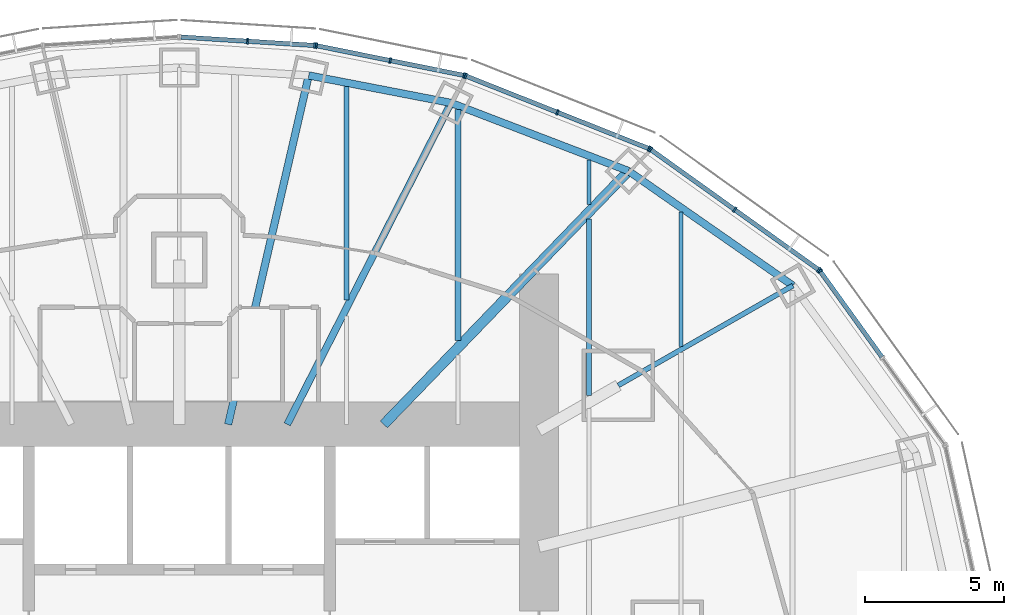
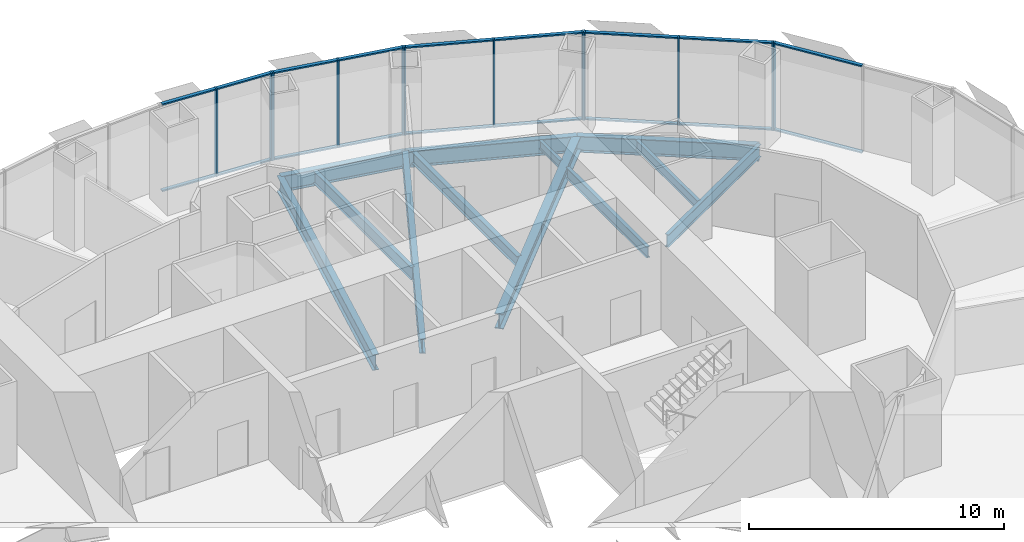
# One storey, part 8 of 18: 30 members, 12 beams, 5 elements without a shape of their own.
"""IFC4 building model written with IfcOpenShell, lengths in metres."""

from ifc_helpers import new_model, si_unit, direction, frame, origin, origin_2d, place, context, subcontext, project, spatial, rectangle, i_section, extrude, material, material_profile, profile_set, type_object, element, aggregate, save


model = new_model("IFC4")

# Units and contexts
model_context = context("Model", 3, precision=1e-05, world=origin(), true_north=direction((0.0, 1.0)))
body_context = subcontext(model_context, "Body", "Model", "MODEL_VIEW")
ifc_project = project(units=[si_unit("LENGTHUNIT", "METRE"), si_unit("AREAUNIT", "SQUARE_METRE"), si_unit("VOLUMEUNIT", "CUBIC_METRE"), si_unit("PLANEANGLEUNIT", "RADIAN"), si_unit("MASSUNIT", "GRAM", prefix="KILO")], contexts=[model_context])

# Site, building, storey
site_placement = place(None, origin())
site = spatial("IfcSite", under=ifc_project, at=site_placement, CompositionType="ELEMENT")
building_placement = place(site_placement, origin())
building = spatial("IfcBuilding", under=site, at=building_placement, Name="Lantaw Convention Tower", CompositionType="ELEMENT")
storey_placement = place(building_placement, frame((0.0, 0.0, 167.800048828125)))
storey = spatial("IfcBuildingStorey", under=building, at=storey_placement, Name="L39", CompositionType="ELEMENT", Elevation=167.800048828125)

# Beams
ifc_material_1 = material(Name="Steel ASTM A992", Category="steel")
ifc_material_profile_1 = material_profile(ifc_material_1, i_section(OverallWidth=0.2666015625, OverallDepth=0.76953125, WebThickness=0.015625, FlangeThickness=0.025390625, FilletRadius=0.0126953125, at=origin_2d()), Name="W30X132")
ifc_profile_set_1 = profile_set([ifc_material_profile_1], Name="Steel ASTM A992")
beam_type_1 = type_object("IfcBeamType", Name="Beam E W30X132", PredefinedType="SPANDREL", material=ifc_profile_set_1)
beam_1_placement = place(storey_placement, frame((22.013916015625, 12.579345703125, -0.534912109375), z_axis=(-0.820310765287, 0.57191804339, 0.0), x_axis=(-0.57191804339, -0.820310765287, 0.0)))
element("IfcBeam", 1, at=beam_1_placement, inside=storey, type_object=beam_type_1, Name="Edge beam 3", PredefinedType="SPANDREL", context=body_context, shape_type="SweptSolid", body=[
    extrude(i_section(OverallWidth=0.2666015625, OverallDepth=0.76953125, WebThickness=0.015625, FlangeThickness=0.025390625, FilletRadius=0.0126953125, at=origin_2d()), origin(), (0.0, 0.0, 1.0), 7.187744140625),
])
beam_2_placement = place(storey_placement, frame((16.11767578125, 16.690185546875, -0.534912109375), z_axis=(-0.933691081977, 0.358079549033, 0.0), x_axis=(-0.358079549033, -0.933691081977, 0.0)))
element("IfcBeam", 2, at=beam_2_placement, inside=storey, type_object=beam_type_1, Name="Edge beam 4", PredefinedType="SPANDREL", context=body_context, shape_type="SweptSolid", body=[
    extrude(i_section(OverallWidth=0.2666015625, OverallDepth=0.76953125, WebThickness=0.015625, FlangeThickness=0.025390625, FilletRadius=0.0126953125, at=origin_2d()), origin(), (0.0, 0.0, 1.0), 6.821533203125),
])
beam_3_placement = place(storey_placement, frame((9.74853515625, 19.1328125, -0.534912109375), z_axis=(-0.981796805654, 0.189934284446, 0.0), x_axis=(-0.189934284446, -0.981796805654, 0.0)))
element("IfcBeam", 3, at=beam_3_placement, inside=storey, type_object=beam_type_1, Name="Edge beam 5", PredefinedType="SPANDREL", context=body_context, shape_type="SweptSolid", body=[
    extrude(i_section(OverallWidth=0.2666015625, OverallDepth=0.76953125, WebThickness=0.015625, FlangeThickness=0.025390625, FilletRadius=0.0126953125, at=origin_2d()), origin(), (0.0, 0.0, 1.0), 5.1982421875),
])
ifc_material_profile_2 = material_profile(ifc_material_1, i_section(OverallWidth=0.177978515625, OverallDepth=0.599365234375, WebThickness=0.010009765625, FlangeThickness=0.012939453125, FilletRadius=0.012939453125, at=origin_2d()), Name="W24X55")
ifc_profile_set_2 = profile_set([ifc_material_profile_2], Name="Steel ASTM A992")
beam_type_2 = type_object("IfcBeamType", Name="Beam G W24X55", PredefinedType="BEAM", material=ifc_profile_set_2)
beam_4_placement = place(storey_placement, frame((15.75, 9.0, -0.44970703125), z_axis=(0.868245224608, 0.496135293993, 0.0), x_axis=(-0.496135293993, 0.868245224608, 0.0)))
element("IfcBeam", 4, at=beam_4_placement, inside=storey, type_object=beam_type_2, Name="Floor girder on ray 3", PredefinedType="BEAM", context=body_context, shape_type="SweptSolid", body=[
    extrude(i_section(OverallWidth=0.177978515625, OverallDepth=0.599365234375, WebThickness=0.010009765625, FlangeThickness=0.012939453125, FilletRadius=0.012939453125, at=origin_2d()), origin(), (0.0, 0.0, 1.0), 7.21435546875),
])
ifc_material_profile_3 = material_profile(ifc_material_1, i_section(OverallWidth=0.25390625, OverallDepth=0.700927734375, WebThickness=0.015380859375, FlangeThickness=0.02783203125, FilletRadius=0.01513671875, at=origin_2d()), Name="W27X129")
ifc_profile_set_3 = profile_set([ifc_material_profile_3], Name="Steel ASTM A992")
beam_type_3 = type_object("IfcBeamType", Name="Beam G W27X129", PredefinedType="BEAM", material=ifc_profile_set_3)
beam_5_placement = place(storey_placement, frame((3.872314453125, 7.60009765625, -0.50048828125), z_axis=(0.453991051051, 0.891006243281, 0.0), x_axis=(-0.891006243281, 0.453991051051, 0.0)))
element("IfcBeam", 5, at=beam_5_placement, inside=storey, type_object=beam_type_3, Name="Floor girder on ray 5", PredefinedType="BEAM", context=body_context, shape_type="SweptSolid", body=[
    extrude(i_section(OverallWidth=0.25390625, OverallDepth=0.700927734375, WebThickness=0.015380859375, FlangeThickness=0.02783203125, FilletRadius=0.01513671875, at=origin_2d()), origin(), (0.0, 0.0, 1.0), 12.943359375),
])
ifc_material_profile_4 = material_profile(ifc_material_1, i_section(OverallWidth=0.360595703125, OverallDepth=0.72900390625, WebThickness=0.023193359375, FlangeThickness=0.041015625, FilletRadius=0.0126953125, at=origin_2d()), Name="W27X235")
ifc_profile_set_4 = profile_set([ifc_material_profile_4], Name="Steel ASTM A992")
beam_type_4 = type_object("IfcBeamType", Name="Beam G W27X235", PredefinedType="BEAM", material=ifc_profile_set_4)
beam_6_placement = place(storey_placement, frame((7.33935546875, 7.60009765625, -0.5146484375), z_axis=(0.694663467407, 0.719334878239, 0.0), x_axis=(-0.719334878239, 0.694663467407, 0.0)))
element("IfcBeam", 6, at=beam_6_placement, inside=storey, type_object=beam_type_4, Name="Floor girder on ray 4", PredefinedType="BEAM", context=body_context, shape_type="SweptSolid", body=[
    extrude(i_section(OverallWidth=0.360595703125, OverallDepth=0.72900390625, WebThickness=0.023193359375, FlangeThickness=0.041015625, FilletRadius=0.0126953125, at=origin_2d()), origin(), (0.0, 0.0, 1.0), 12.63671875),
])
ifc_material_profile_5 = material_profile(ifc_material_1, i_section(OverallWidth=0.2666015625, OverallDepth=0.7568359375, WebThickness=0.013916015625, FlangeThickness=0.019287109375, FilletRadius=0.0126953125, at=origin_2d()), Name="W30X108")
ifc_profile_set_5 = profile_set([ifc_material_profile_5], Name="Steel ASTM A992")
beam_type_5 = type_object("IfcBeamType", Name="Beam G W30X108", PredefinedType="BEAM", material=ifc_profile_set_5)
beam_7_placement = place(storey_placement, frame((1.754638671875, 7.60009765625, -0.528564453125), z_axis=(0.224944153104, 0.974371658036, 0.0), x_axis=(-0.974371658036, 0.224944153104, 0.0)))
element("IfcBeam", 7, at=beam_7_placement, inside=storey, type_object=beam_type_5, Name="Floor girder on ray 6", PredefinedType="BEAM", context=body_context, shape_type="SweptSolid", body=[
    extrude(i_section(OverallWidth=0.2666015625, OverallDepth=0.7568359375, WebThickness=0.013916015625, FlangeThickness=0.019287109375, FilletRadius=0.0126953125, at=origin_2d()), origin(), (0.0, 0.0, 1.0), 12.849365234375),
])
ifc_material_profile_6 = material_profile(ifc_material_1, i_section(OverallWidth=0.140380859375, OverallDepth=0.40380859375, WebThickness=0.007080078125, FlangeThickness=0.01123046875, FilletRadius=0.01025390625, at=origin_2d()), Name="W16X31")
ifc_profile_set_6 = profile_set([ifc_material_profile_6], Name="Steel ASTM A992")
beam_type_6 = type_object("IfcBeamType", Name="Beam J W16X31", PredefinedType="JOIST", material=ifc_profile_set_6)
beam_8_placement = place(storey_placement, frame((14.699951171875, 15.48193359375, -0.35205078125), z_axis=(0.0, 1.0, 0.0), x_axis=(-1.0, 0.0, 0.0)))
element("IfcBeam", 8, at=beam_8_placement, inside=storey, type_object=beam_type_6, Name="Floor joist", PredefinedType="JOIST", context=body_context, shape_type="SweptSolid", body=[
    extrude(i_section(OverallWidth=0.140380859375, OverallDepth=0.40380859375, WebThickness=0.007080078125, FlangeThickness=0.01123046875, FilletRadius=0.01025390625, at=origin_2d()), origin(), (0.0, 0.0, 1.0), 1.609130859375),
])
ifc_material_profile_7 = material_profile(ifc_material_1, i_section(OverallWidth=0.15234375, OverallDepth=0.449462890625, WebThickness=0.007568359375, FlangeThickness=0.0107421875, FilletRadius=0.01025390625, at=origin_2d()), Name="W18X35")
ifc_profile_set_7 = profile_set([ifc_material_profile_7], Name="Steel ASTM A992")
beam_type_7 = type_object("IfcBeamType", Name="Beam J W18X35", PredefinedType="JOIST", material=ifc_profile_set_7)
beam_9_placement = place(storey_placement, frame((18.0, 10.38818359375, -0.374755859375), z_axis=(0.0, 1.0, 0.0), x_axis=(-1.0, 0.0, 0.0)))
element("IfcBeam", 9, at=beam_9_placement, inside=storey, type_object=beam_type_7, Name="Floor joist", PredefinedType="JOIST", context=body_context, shape_type="SweptSolid", body=[
    extrude(i_section(OverallWidth=0.15234375, OverallDepth=0.449462890625, WebThickness=0.007568359375, FlangeThickness=0.0107421875, FilletRadius=0.01025390625, at=origin_2d()), origin(), (0.0, 0.0, 1.0), 4.8271484375),
])
ifc_material_profile_8 = material_profile(ifc_material_1, i_section(OverallWidth=0.1650390625, OverallDepth=0.52587890625, WebThickness=0.0087890625, FlangeThickness=0.011474609375, FilletRadius=0.0126953125, at=origin_2d()), Name="W21X44")
ifc_profile_set_8 = profile_set([ifc_material_profile_8], Name="Steel ASTM A992")
beam_type_8 = type_object("IfcBeamType", Name="Beam J W21X44", PredefinedType="JOIST", material=ifc_profile_set_8)
beam_10_placement = place(storey_placement, frame((14.699951171875, 8.632568359375, -0.412841796875), z_axis=(0.0, 1.0, 0.0), x_axis=(-1.0, 0.0, 0.0)))
element("IfcBeam", 10, at=beam_10_placement, inside=storey, type_object=beam_type_8, Name="Floor joist", PredefinedType="JOIST", context=body_context, shape_type="SweptSolid", body=[
    extrude(i_section(OverallWidth=0.1650390625, OverallDepth=0.52587890625, WebThickness=0.0087890625, FlangeThickness=0.011474609375, FilletRadius=0.0126953125, at=origin_2d()), origin(), (0.0, 0.0, 1.0), 6.330078125),
])
ifc_material_profile_9 = material_profile(ifc_material_1, i_section(OverallWidth=0.2099609375, OverallDepth=0.535888671875, WebThickness=0.010986328125, FlangeThickness=0.017333984375, FilletRadius=0.012939453125, at=origin_2d()), Name="W21X68")
ifc_profile_set_9 = profile_set([ifc_material_profile_9], Name="Steel ASTM A992")
beam_type_9 = type_object("IfcBeamType", Name="Beam J W21X68", PredefinedType="JOIST", material=ifc_profile_set_9)
beam_11_placement = place(storey_placement, frame((10.0, 10.614990234375, -0.41796875), z_axis=(0.0, 1.0, 0.0), x_axis=(-1.0, 0.0, 0.0)))
element("IfcBeam", 11, at=beam_11_placement, inside=storey, type_object=beam_type_9, Name="Floor joist", PredefinedType="JOIST", context=body_context, shape_type="SweptSolid", body=[
    extrude(i_section(OverallWidth=0.2099609375, OverallDepth=0.535888671875, WebThickness=0.010986328125, FlangeThickness=0.017333984375, FilletRadius=0.012939453125, at=origin_2d()), origin(), (0.0, 0.0, 1.0), 8.278564453125),
])
ifc_material_profile_10 = material_profile(ifc_material_1, i_section(OverallWidth=0.177978515625, OverallDepth=0.599365234375, WebThickness=0.010009765625, FlangeThickness=0.012939453125, FilletRadius=0.012939453125, at=origin_2d()), Name="W24X55")
ifc_profile_set_10 = profile_set([ifc_material_profile_10], Name="Steel ASTM A992")
beam_type_10 = type_object("IfcBeamType", Name="Beam J W24X55", PredefinedType="JOIST", material=ifc_profile_set_10)
beam_12_placement = place(storey_placement, frame((6.0, 12.055419921875, -0.44970703125), z_axis=(0.0, 1.0, 0.0), x_axis=(-1.0, 0.0, 0.0)))
element("IfcBeam", 12, at=beam_12_placement, inside=storey, type_object=beam_type_10, Name="Floor joist", PredefinedType="JOIST", context=body_context, shape_type="SweptSolid", body=[
    extrude(i_section(OverallWidth=0.177978515625, OverallDepth=0.599365234375, WebThickness=0.010009765625, FlangeThickness=0.012939453125, FilletRadius=0.012939453125, at=origin_2d()), origin(), (0.0, 0.0, 1.0), 7.666748046875),
])

# Curtain wall, member
ifc_material_2 = material(Name="Aluminium framed curtain wall", Category="aluminium")
curtain_wall_type = type_object("IfcCurtainWallType", Name="Office curtain wall low rise, pale aluminium", PredefinedType="USERDEFINED", material=ifc_material_2)
curtain_wall_1_placement = place(storey_placement, origin())
curtain_wall_1 = element("IfcCurtainWall", 13, at=curtain_wall_1_placement, inside=storey, type_object=curtain_wall_type, Name="Office curtain wall low rise, pale aluminium L39", ObjectType="UNITISED CURTAIN WALL", PredefinedType="USERDEFINED")
ifc_material_3 = material(Name="Aluminium 6063-T6", Category="aluminium")
ifc_material_profile_11 = material_profile(ifc_material_3, rectangle(XDim=0.199951171875, YDim=0.06494140625, at=origin_2d()), Name="CW-O1 mullion 65x200")
ifc_profile_set_11 = profile_set([ifc_material_profile_11], Name="Aluminium 6063-T6")
member_type_1 = type_object("IfcMemberType", Name="CW-O1 mullion 65x200", PredefinedType="MULLION", material=ifc_profile_set_11)
member_1_placement = place(storey_placement, frame((22.988037109375, 13.098876953125, -0.150146484375), z_axis=(0.0, 0.0, 1.0), x_axis=(-0.811384633629, -0.584512597221, 0.0)))
member_1 = element("IfcMember", 14, at=member_1_placement, type_object=member_type_1, Name="CW-O1 mullion 3", PredefinedType="MULLION", context=body_context, shape_type="SweptSolid", body=[
    extrude(rectangle(XDim=0.199951171875, YDim=0.06494140625, at=origin_2d()), origin(), (0.0, 0.0, 1.0), 4.2001953125),
])

# Curtain wall, members
curtain_wall_2_placement = place(storey_placement, origin())
curtain_wall_2 = element("IfcCurtainWall", 15, at=curtain_wall_2_placement, inside=storey, type_object=curtain_wall_type, Name="Office curtain wall low rise, pale aluminium L39", ObjectType="UNITISED CURTAIN WALL", PredefinedType="USERDEFINED")
member_2_placement = place(storey_placement, frame((22.942626953125, 13.14404296875, -0.150146484375), z_axis=(0.0, 0.0, 1.0), x_axis=(-0.581972695693, -0.813208325995, 0.0)))
member_2 = element("IfcMember", 16, at=member_2_placement, type_object=member_type_1, Name="CW-O1 mullion 1", PredefinedType="MULLION", context=body_context, shape_type="SweptSolid", body=[
    extrude(rectangle(XDim=0.199951171875, YDim=0.06494140625, at=origin_2d()), origin(), (0.0, 0.0, 1.0), 4.2001953125),
])
member_3_placement = place(storey_placement, frame((19.92529296875, 15.303466796875, -0.150146484375), z_axis=(0.0, 0.0, 1.0), x_axis=(-0.581972695693, -0.813208325995, 0.0)))
member_3 = element("IfcMember", 17, at=member_3_placement, type_object=member_type_1, Name="CW-O1 mullion 2", PredefinedType="MULLION", context=body_context, shape_type="SweptSolid", body=[
    extrude(rectangle(XDim=0.199951171875, YDim=0.06494140625, at=origin_2d()), origin(), (0.0, 0.0, 1.0), 4.2001953125),
])
member_4_placement = place(storey_placement, frame((16.908203125, 17.462646484375, -0.150146484375), z_axis=(0.0, 0.0, 1.0), x_axis=(-0.581972695693, -0.813208325995, 0.0)))
member_4 = element("IfcMember", 18, at=member_4_placement, type_object=member_type_1, Name="CW-O1 mullion 3", PredefinedType="MULLION", context=body_context, shape_type="SweptSolid", body=[
    extrude(rectangle(XDim=0.199951171875, YDim=0.06494140625, at=origin_2d()), origin(), (0.0, 0.0, 1.0), 4.2001953125),
])

curtain_wall_3_placement = place(storey_placement, origin())
curtain_wall_3 = element("IfcCurtainWall", 19, at=curtain_wall_3_placement, inside=storey, type_object=curtain_wall_type, Name="Office curtain wall low rise, pale aluminium L39", ObjectType="UNITISED CURTAIN WALL", PredefinedType="USERDEFINED")
member_5_placement = place(storey_placement, frame((16.8515625, 17.49365234375, -0.150146484375), z_axis=(0.0, 0.0, 1.0), x_axis=(-0.368701907483, -0.929547687544, 0.0)))
member_5 = element("IfcMember", 20, at=member_5_placement, type_object=member_type_1, Name="CW-O1 mullion 1", PredefinedType="MULLION", context=body_context, shape_type="SweptSolid", body=[
    extrude(rectangle(XDim=0.199951171875, YDim=0.06494140625, at=origin_2d()), origin(), (0.0, 0.0, 1.0), 4.2001953125),
])
member_6_placement = place(storey_placement, frame((13.56494140625, 18.797119140625, -0.150146484375), z_axis=(0.0, 0.0, 1.0), x_axis=(-0.368701907483, -0.929547687544, 0.0)))
member_6 = element("IfcMember", 21, at=member_6_placement, type_object=member_type_1, Name="CW-O1 mullion 2", PredefinedType="MULLION", context=body_context, shape_type="SweptSolid", body=[
    extrude(rectangle(XDim=0.199951171875, YDim=0.06494140625, at=origin_2d()), origin(), (0.0, 0.0, 1.0), 4.2001953125),
])
member_7_placement = place(storey_placement, frame((10.2783203125, 20.100830078125, -0.150146484375), z_axis=(0.0, 0.0, 1.0), x_axis=(-0.368701907483, -0.929547687544, 0.0)))
member_7 = element("IfcMember", 22, at=member_7_placement, type_object=member_type_1, Name="CW-O1 mullion 3", PredefinedType="MULLION", context=body_context, shape_type="SweptSolid", body=[
    extrude(rectangle(XDim=0.199951171875, YDim=0.06494140625, at=origin_2d()), origin(), (0.0, 0.0, 1.0), 4.2001953125),
])

curtain_wall_4_placement = place(storey_placement, origin())
curtain_wall_4 = element("IfcCurtainWall", 23, at=curtain_wall_4_placement, inside=storey, type_object=curtain_wall_type, Name="Office curtain wall low rise, pale aluminium L39", ObjectType="UNITISED CURTAIN WALL", PredefinedType="USERDEFINED")
member_8_placement = place(storey_placement, frame((10.216064453125, 20.119140625, -0.150146484375), z_axis=(0.0, 0.0, 1.0), x_axis=(-0.197506809659, -0.980301514912, 0.0)))
member_8 = element("IfcMember", 24, at=member_8_placement, type_object=member_type_1, Name="CW-O1 mullion 1", PredefinedType="MULLION", context=body_context, shape_type="SweptSolid", body=[
    extrude(rectangle(XDim=0.199951171875, YDim=0.06494140625, at=origin_2d()), origin(), (0.0, 0.0, 1.0), 4.2001953125),
])
member_9_placement = place(storey_placement, frame((7.5703125, 20.65234375, -0.150146484375), z_axis=(0.0, 0.0, 1.0), x_axis=(-0.197506809659, -0.980301514912, 0.0)))
member_9 = element("IfcMember", 25, at=member_9_placement, type_object=member_type_1, Name="CW-O1 mullion 2", PredefinedType="MULLION", context=body_context, shape_type="SweptSolid", body=[
    extrude(rectangle(XDim=0.199951171875, YDim=0.06494140625, at=origin_2d()), origin(), (0.0, 0.0, 1.0), 4.2001953125),
])
member_10_placement = place(storey_placement, frame((4.92431640625, 21.185302734375, -0.150146484375), z_axis=(0.0, 0.0, 1.0), x_axis=(-0.197506809659, -0.980301514912, 0.0)))
member_10 = element("IfcMember", 26, at=member_10_placement, type_object=member_type_1, Name="CW-O1 mullion 3", PredefinedType="MULLION", context=body_context, shape_type="SweptSolid", body=[
    extrude(rectangle(XDim=0.199951171875, YDim=0.06494140625, at=origin_2d()), origin(), (0.0, 0.0, 1.0), 4.2001953125),
])

curtain_wall_5_placement = place(storey_placement, origin())
curtain_wall_5 = element("IfcCurtainWall", 27, at=curtain_wall_5_placement, inside=storey, type_object=curtain_wall_type, Name="Office curtain wall low rise, pale aluminium L39", ObjectType="UNITISED CURTAIN WALL", PredefinedType="USERDEFINED")
member_11_placement = place(storey_placement, frame((4.860107421875, 21.19384765625, -0.150146484375), z_axis=(0.0, 0.0, 1.0), x_axis=(-0.062865059466, -0.998022035978, 0.0)))
member_11 = element("IfcMember", 28, at=member_11_placement, type_object=member_type_1, Name="CW-O1 mullion 1", PredefinedType="MULLION", context=body_context, shape_type="SweptSolid", body=[
    extrude(rectangle(XDim=0.199951171875, YDim=0.06494140625, at=origin_2d()), origin(), (0.0, 0.0, 1.0), 4.2001953125),
])
member_12_placement = place(storey_placement, frame((2.4462890625, 21.345947265625, -0.150146484375), z_axis=(0.0, 0.0, 1.0), x_axis=(-0.062865059466, -0.998022035978, 0.0)))
member_12 = element("IfcMember", 29, at=member_12_placement, type_object=member_type_1, Name="CW-O1 mullion 2", PredefinedType="MULLION", context=body_context, shape_type="SweptSolid", body=[
    extrude(rectangle(XDim=0.199951171875, YDim=0.06494140625, at=origin_2d()), origin(), (0.0, 0.0, 1.0), 4.2001953125),
])

# Member
ifc_material_profile_12 = material_profile(ifc_material_3, rectangle(XDim=0.159912109375, YDim=0.06494140625, at=origin_2d()), Name="CW-O1 transom 65x160")
ifc_profile_set_12 = profile_set([ifc_material_profile_12], Name="Aluminium 6063-T6")
member_type_2 = type_object("IfcMemberType", Name="CW-O1 transom 65x160", PredefinedType="USERDEFINED", material=ifc_profile_set_12)
member_13_placement = place(storey_placement, frame((25.209228515625, 10.015625, -0.117431640625), z_axis=(-0.584512973979, 0.811384362217, 0.0), x_axis=(-0.811384362217, -0.584512973979, 0.0)))
member_13 = element("IfcMember", 30, at=member_13_placement, type_object=member_type_2, Name="CW-O1 transom 2.1", ObjectType="TRANSOM", PredefinedType="USERDEFINED", context=body_context, shape_type="SweptSolid", body=[
    extrude(rectangle(XDim=0.159912109375, YDim=0.06494140625, at=origin_2d()), origin(), (0.0, 0.0, 1.0), 3.767578125),
])

member_14_placement = place(storey_placement, frame((25.209228515625, 10.015625, 4.017333984375), z_axis=(-0.584512973979, 0.811384362217, 0.0), x_axis=(-0.811384362217, -0.584512973979, 0.0)))
member_14 = element("IfcMember", 31, at=member_14_placement, type_object=member_type_2, Name="CW-O1 transom 2.2", ObjectType="TRANSOM", PredefinedType="USERDEFINED", context=body_context, shape_type="SweptSolid", body=[
    extrude(rectangle(XDim=0.159912109375, YDim=0.06494140625, at=origin_2d()), origin(), (0.0, 0.0, 1.0), 3.767578125),
])

aggregate(curtain_wall_1, [member_1, member_13, member_14])

member_15_placement = place(storey_placement, frame((22.916259765625, 13.1630859375, -0.117431640625), z_axis=(-0.813221785972, 0.581953887194, 0.0), x_axis=(-0.581953887194, -0.813221785972, 0.0)))
member_15 = element("IfcMember", 32, at=member_15_placement, type_object=member_type_2, Name="CW-O1 transom 1.1", ObjectType="TRANSOM", PredefinedType="USERDEFINED", context=body_context, shape_type="SweptSolid", body=[
    extrude(rectangle(XDim=0.159912109375, YDim=0.06494140625, at=origin_2d()), origin(), (0.0, 0.0, 1.0), 3.645263671875),
])

member_16_placement = place(storey_placement, frame((22.916259765625, 13.1630859375, 4.017333984375), z_axis=(-0.813221785972, 0.581953887194, 0.0), x_axis=(-0.581953887194, -0.813221785972, 0.0)))
member_16 = element("IfcMember", 33, at=member_16_placement, type_object=member_type_2, Name="CW-O1 transom 1.2", ObjectType="TRANSOM", PredefinedType="USERDEFINED", context=body_context, shape_type="SweptSolid", body=[
    extrude(rectangle(XDim=0.159912109375, YDim=0.06494140625, at=origin_2d()), origin(), (0.0, 0.0, 1.0), 3.645263671875),
])

member_17_placement = place(storey_placement, frame((19.89892578125, 15.322265625, -0.117431640625), z_axis=(-0.813190089133, 0.581998177777, 0.0), x_axis=(-0.581998177777, -0.813190089133, 0.0)))
member_17 = element("IfcMember", 34, at=member_17_placement, type_object=member_type_2, Name="CW-O1 transom 2.1", ObjectType="TRANSOM", PredefinedType="USERDEFINED", context=body_context, shape_type="SweptSolid", body=[
    extrude(rectangle(XDim=0.159912109375, YDim=0.06494140625, at=origin_2d()), origin(), (0.0, 0.0, 1.0), 3.645263671875),
])

member_18_placement = place(storey_placement, frame((19.89892578125, 15.322265625, 4.017333984375), z_axis=(-0.813190089133, 0.581998177777, 0.0), x_axis=(-0.581998177777, -0.813190089133, 0.0)))
member_18 = element("IfcMember", 35, at=member_18_placement, type_object=member_type_2, Name="CW-O1 transom 2.2", ObjectType="TRANSOM", PredefinedType="USERDEFINED", context=body_context, shape_type="SweptSolid", body=[
    extrude(rectangle(XDim=0.159912109375, YDim=0.06494140625, at=origin_2d()), origin(), (0.0, 0.0, 1.0), 3.645263671875),
])

aggregate(curtain_wall_2, [member_2, member_3, member_4, member_15, member_16, member_17, member_18])

member_19_placement = place(storey_placement, frame((16.8212890625, 17.505615234375, -0.117431640625), z_axis=(-0.929564188507, 0.368660303592, 0.0), x_axis=(-0.368660303592, -0.929564188507, 0.0)))
member_19 = element("IfcMember", 36, at=member_19_placement, type_object=member_type_2, Name="CW-O1 transom 1.1", ObjectType="TRANSOM", PredefinedType="USERDEFINED", context=body_context, shape_type="SweptSolid", body=[
    extrude(rectangle(XDim=0.159912109375, YDim=0.06494140625, at=origin_2d()), origin(), (0.0, 0.0, 1.0), 3.470703125),
])

member_20_placement = place(storey_placement, frame((16.8212890625, 17.505615234375, 4.017333984375), z_axis=(-0.929564188507, 0.368660303592, 0.0), x_axis=(-0.368660303592, -0.929564188507, 0.0)))
member_20 = element("IfcMember", 37, at=member_20_placement, type_object=member_type_2, Name="CW-O1 transom 1.2", ObjectType="TRANSOM", PredefinedType="USERDEFINED", context=body_context, shape_type="SweptSolid", body=[
    extrude(rectangle(XDim=0.159912109375, YDim=0.06494140625, at=origin_2d()), origin(), (0.0, 0.0, 1.0), 3.470703125),
])

member_21_placement = place(storey_placement, frame((13.53466796875, 18.80908203125, -0.117431640625), z_axis=(-0.929540081544, 0.368721082668, 0.0), x_axis=(-0.368721082668, -0.929540081544, 0.0)))
member_21 = element("IfcMember", 38, at=member_21_placement, type_object=member_type_2, Name="CW-O1 transom 2.1", ObjectType="TRANSOM", PredefinedType="USERDEFINED", context=body_context, shape_type="SweptSolid", body=[
    extrude(rectangle(XDim=0.159912109375, YDim=0.06494140625, at=origin_2d()), origin(), (0.0, 0.0, 1.0), 3.470947265625),
])

member_22_placement = place(storey_placement, frame((13.53466796875, 18.80908203125, 4.017333984375), z_axis=(-0.929540081544, 0.368721082668, 0.0), x_axis=(-0.368721082668, -0.929540081544, 0.0)))
member_22 = element("IfcMember", 39, at=member_22_placement, type_object=member_type_2, Name="CW-O1 transom 2.2", ObjectType="TRANSOM", PredefinedType="USERDEFINED", context=body_context, shape_type="SweptSolid", body=[
    extrude(rectangle(XDim=0.159912109375, YDim=0.06494140625, at=origin_2d()), origin(), (0.0, 0.0, 1.0), 3.470947265625),
])

aggregate(curtain_wall_3, [member_5, member_6, member_7, member_19, member_20, member_21, member_22])

member_23_placement = place(storey_placement, frame((10.184326171875, 20.125732421875, -0.117431640625), z_axis=(-0.980301643003, 0.197506173891, 0.0), x_axis=(-0.197506173891, -0.980301643003, 0.0)))
member_23 = element("IfcMember", 40, at=member_23_placement, type_object=member_type_2, Name="CW-O1 transom 1.1", ObjectType="TRANSOM", PredefinedType="USERDEFINED", context=body_context, shape_type="SweptSolid", body=[
    extrude(rectangle(XDim=0.159912109375, YDim=0.06494140625, at=origin_2d()), origin(), (0.0, 0.0, 1.0), 2.63427734375),
])

member_24_placement = place(storey_placement, frame((10.184326171875, 20.125732421875, 4.017333984375), z_axis=(-0.980301643003, 0.197506173891, 0.0), x_axis=(-0.197506173891, -0.980301643003, 0.0)))
member_24 = element("IfcMember", 41, at=member_24_placement, type_object=member_type_2, Name="CW-O1 transom 1.2", ObjectType="TRANSOM", PredefinedType="USERDEFINED", context=body_context, shape_type="SweptSolid", body=[
    extrude(rectangle(XDim=0.159912109375, YDim=0.06494140625, at=origin_2d()), origin(), (0.0, 0.0, 1.0), 2.63427734375),
])

member_25_placement = place(storey_placement, frame((7.538330078125, 20.65869140625, -0.117431640625), z_axis=(-0.980298027092, 0.197524120247, 0.0), x_axis=(-0.197524120247, -0.980298027092, 0.0)))
member_25 = element("IfcMember", 42, at=member_25_placement, type_object=member_type_2, Name="CW-O1 transom 2.1", ObjectType="TRANSOM", PredefinedType="USERDEFINED", context=body_context, shape_type="SweptSolid", body=[
    extrude(rectangle(XDim=0.159912109375, YDim=0.06494140625, at=origin_2d()), origin(), (0.0, 0.0, 1.0), 2.634033203125),
])

member_26_placement = place(storey_placement, frame((7.538330078125, 20.65869140625, 4.017333984375), z_axis=(-0.980298027092, 0.197524120247, 0.0), x_axis=(-0.197524120247, -0.980298027092, 0.0)))
member_26 = element("IfcMember", 43, at=member_26_placement, type_object=member_type_2, Name="CW-O1 transom 2.2", ObjectType="TRANSOM", PredefinedType="USERDEFINED", context=body_context, shape_type="SweptSolid", body=[
    extrude(rectangle(XDim=0.159912109375, YDim=0.06494140625, at=origin_2d()), origin(), (0.0, 0.0, 1.0), 2.634033203125),
])

aggregate(curtain_wall_4, [member_8, member_9, member_10, member_23, member_24, member_25, member_26])

member_27_placement = place(storey_placement, frame((4.82763671875, 21.19580078125, -0.117431640625), z_axis=(-0.998022188463, 0.062862638625, 0.0), x_axis=(-0.062862638625, -0.998022188463, 0.0)))
member_27 = element("IfcMember", 44, at=member_27_placement, type_object=member_type_2, Name="CW-O1 transom 1.1", ObjectType="TRANSOM", PredefinedType="USERDEFINED", context=body_context, shape_type="SweptSolid", body=[
    extrude(rectangle(XDim=0.159912109375, YDim=0.06494140625, at=origin_2d()), origin(), (0.0, 0.0, 1.0), 2.353515625),
])

member_28_placement = place(storey_placement, frame((4.82763671875, 21.19580078125, 4.017333984375), z_axis=(-0.998022188463, 0.062862638625, 0.0), x_axis=(-0.062862638625, -0.998022188463, 0.0)))
member_28 = element("IfcMember", 45, at=member_28_placement, type_object=member_type_2, Name="CW-O1 transom 1.2", ObjectType="TRANSOM", PredefinedType="USERDEFINED", context=body_context, shape_type="SweptSolid", body=[
    extrude(rectangle(XDim=0.159912109375, YDim=0.06494140625, at=origin_2d()), origin(), (0.0, 0.0, 1.0), 2.353515625),
])

member_29_placement = place(storey_placement, frame((2.413818359375, 21.347900390625, -0.117431640625), z_axis=(-0.998022188463, 0.062862638625, 0.0), x_axis=(-0.062862638625, -0.998022188463, 0.0)))
member_29 = element("IfcMember", 46, at=member_29_placement, type_object=member_type_2, Name="CW-O1 transom 2.1", ObjectType="TRANSOM", PredefinedType="USERDEFINED", context=body_context, shape_type="SweptSolid", body=[
    extrude(rectangle(XDim=0.159912109375, YDim=0.06494140625, at=origin_2d()), origin(), (0.0, 0.0, 1.0), 2.353515625),
])

member_30_placement = place(storey_placement, frame((2.413818359375, 21.347900390625, 4.017333984375), z_axis=(-0.998022188463, 0.062862638625, 0.0), x_axis=(-0.062862638625, -0.998022188463, 0.0)))
member_30 = element("IfcMember", 47, at=member_30_placement, type_object=member_type_2, Name="CW-O1 transom 2.2", ObjectType="TRANSOM", PredefinedType="USERDEFINED", context=body_context, shape_type="SweptSolid", body=[
    extrude(rectangle(XDim=0.159912109375, YDim=0.06494140625, at=origin_2d()), origin(), (0.0, 0.0, 1.0), 2.353515625),
])

aggregate(curtain_wall_5, [member_11, member_12, member_27, member_28, member_29, member_30])

save(model, "model.ifc")
